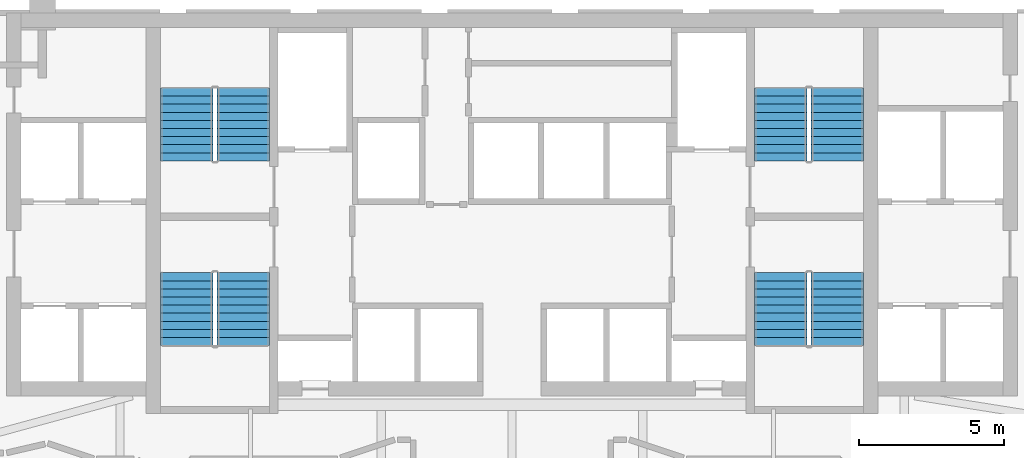
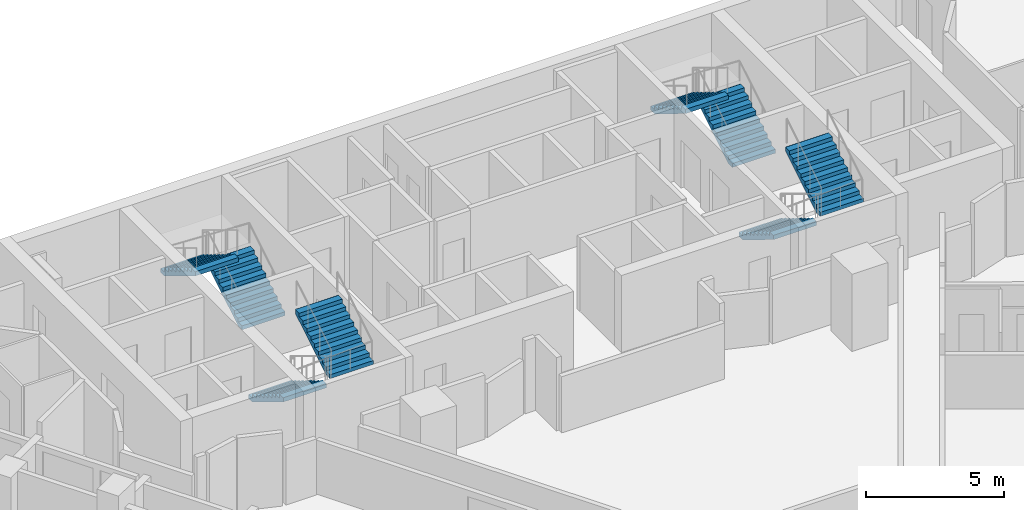
# One storey, part 9 of 10: 8 stair flights, 4 elements without a shape of their own.
"""IFC4 building model written with IfcOpenShell, lengths in metres."""

from ifc_helpers import new_model, si_unit, direction, frame, origin, place, context, subcontext, project, spatial, faceted_brep, source, transform, mapped, material, type_object, element, aggregate, save


model = new_model("IFC4")

# Units and contexts
model_context = context("Model", 3, precision=1e-05, world=origin(), true_north=direction((0.0, 1.0)))
body_context = subcontext(model_context, "Body", "Model", "MODEL_VIEW")
ifc_project = project(units=[si_unit("LENGTHUNIT", "METRE"), si_unit("AREAUNIT", "SQUARE_METRE"), si_unit("VOLUMEUNIT", "CUBIC_METRE"), si_unit("PLANEANGLEUNIT", "RADIAN"), si_unit("MASSUNIT", "GRAM", prefix="KILO")], contexts=[model_context])

# Site, building, storey
site_placement = place(None, origin())
site = spatial("IfcSite", under=ifc_project, at=site_placement, CompositionType="ELEMENT")
building_placement = place(site_placement, origin())
building = spatial("IfcBuilding", under=site, at=building_placement, Name="Calabash Gate Tower", CompositionType="ELEMENT")
storey_placement = place(building_placement, frame((0.0, 0.0, 102.0)))
storey = spatial("IfcBuildingStorey", under=building, at=storey_placement, Name="L22", CompositionType="ELEMENT", Elevation=102.0)

# Stair, stair flights
ifc_material_1 = material(Name="Concrete C40/50", Category="concrete")
stair_type = type_object("IfcStairType", Name="Exit stair 20 risers of 170 mm", PredefinedType="HALF_TURN_STAIR", material=ifc_material_1)
stair_1_placement = place(storey_placement, origin())
stair_1 = element("IfcStair", 1, at=stair_1_placement, inside=storey, type_object=stair_type, Name="L22 Exit stair ST1", PredefinedType="HALF_TURN_STAIR")
ifc_material_2 = material(Name="Concrete C40/50", Category="concrete")
stair_flight_type = type_object("IfcStairFlightType", Name="Exit stair flight SFL", PredefinedType="STRAIGHT", material=ifc_material_2)
shared_shape = source(origin(), body_context, "Body", "Brep", [
    faceted_brep([(-0.0009765625, -0.89990234375, 0.0), (0.2880859375, -0.89990234375, 0.0), (2.511962890625, -0.89990234375, 1.3544921875), (-0.0009765625, 0.89990234375, 0.0), (2.511962890625, 0.89990234375, 1.3544921875), (0.2880859375, 0.89990234375, 0.0), (2.511962890625, -0.89990234375, 1.5419921875), (2.510986328125, -0.89990234375, 1.5419921875), (2.510986328125, 0.89990234375, 1.5419921875), (2.511962890625, 0.89990234375, 1.5419921875), (2.510986328125, -0.89990234375, 1.530029296875), (2.510986328125, 0.89990234375, 1.530029296875), (2.23193359375, -0.89990234375, 1.530029296875), (2.23193359375, 0.89990234375, 1.530029296875), (2.23193359375, -0.89990234375, 1.360107421875), (2.23193359375, 0.89990234375, 1.360107421875), (1.952880859375, -0.89990234375, 1.360107421875), (1.952880859375, 0.89990234375, 1.360107421875), (1.952880859375, -0.89990234375, 1.18994140625), (1.952880859375, 0.89990234375, 1.18994140625), (1.674072265625, -0.89990234375, 1.18994140625), (1.674072265625, -0.89990234375, 1.02001953125), (1.674072265625, 0.89990234375, 1.02001953125), (1.674072265625, 0.89990234375, 1.18994140625), (1.39501953125, -0.89990234375, 1.02001953125), (1.39501953125, -0.89990234375, 0.85009765625), (1.39501953125, 0.89990234375, 0.85009765625), (1.39501953125, 0.89990234375, 1.02001953125), (1.115966796875, -0.89990234375, 0.85009765625), (1.115966796875, -0.89990234375, 0.679931640625), (1.115966796875, 0.89990234375, 0.679931640625), (1.115966796875, 0.89990234375, 0.85009765625), (0.8369140625, -0.89990234375, 0.679931640625), (0.8369140625, -0.89990234375, 0.510009765625), (0.8369140625, 0.89990234375, 0.510009765625), (0.8369140625, 0.89990234375, 0.679931640625), (0.55810546875, -0.89990234375, 0.510009765625), (0.55810546875, -0.89990234375, 0.340087890625), (0.55810546875, 0.89990234375, 0.340087890625), (0.55810546875, 0.89990234375, 0.510009765625), (0.279052734375, -0.89990234375, 0.340087890625), (0.279052734375, -0.89990234375, 0.169921875), (0.279052734375, 0.89990234375, 0.169921875), (0.279052734375, 0.89990234375, 0.340087890625), (-0.0009765625, -0.89990234375, 0.169921875), (-0.0009765625, 0.89990234375, 0.169921875), (0.2880859375, -0.360107421875, 0.0), (2.511962890625, -0.360107421875, 1.3544921875), (0.2880859375, -0.179931640625, 0.0), (2.511962890625, -0.179931640625, 1.3544921875), (0.2880859375, 0.0, 0.0), (2.511962890625, 0.0, 1.3544921875), (0.2880859375, 0.179931640625, 0.0), (2.511962890625, 0.179931640625, 1.3544921875), (0.2880859375, 0.360107421875, 0.0), (2.511962890625, 0.360107421875, 1.3544921875), (2.511962890625, -0.360107421875, 1.5419921875), (2.511962890625, -0.179931640625, 1.5419921875), (2.511962890625, 0.0, 1.5419921875), (2.511962890625, 0.179931640625, 1.5419921875), (2.511962890625, 0.360107421875, 1.5419921875), (2.510986328125, -0.360107421875, 1.5419921875), (2.510986328125, -0.179931640625, 1.5419921875), (2.510986328125, 0.0, 1.5419921875), (2.510986328125, 0.179931640625, 1.5419921875), (2.510986328125, 0.360107421875, 1.5419921875), (2.510986328125, -0.360107421875, 1.530029296875), (2.510986328125, -0.179931640625, 1.530029296875), (2.510986328125, 0.0, 1.530029296875), (2.510986328125, 0.179931640625, 1.530029296875), (2.510986328125, 0.360107421875, 1.530029296875), (2.23193359375, -0.360107421875, 1.530029296875), (2.23193359375, -0.179931640625, 1.530029296875), (2.23193359375, 0.0, 1.530029296875), (2.23193359375, 0.179931640625, 1.530029296875), (2.23193359375, 0.360107421875, 1.530029296875), (2.23193359375, -0.360107421875, 1.360107421875), (2.23193359375, -0.179931640625, 1.360107421875), (2.23193359375, 0.0, 1.360107421875), (2.23193359375, 0.179931640625, 1.360107421875), (2.23193359375, 0.360107421875, 1.360107421875), (1.952880859375, -0.360107421875, 1.360107421875), (1.952880859375, -0.179931640625, 1.360107421875), (1.952880859375, 0.0, 1.360107421875), (1.952880859375, 0.179931640625, 1.360107421875), (1.952880859375, 0.360107421875, 1.360107421875), (1.952880859375, -0.360107421875, 1.18994140625), (1.952880859375, -0.179931640625, 1.18994140625), (1.952880859375, 0.0, 1.18994140625), (1.952880859375, 0.179931640625, 1.18994140625), (1.952880859375, 0.360107421875, 1.18994140625), (1.674072265625, -0.360107421875, 1.18994140625), (1.674072265625, -0.179931640625, 1.18994140625), (1.674072265625, 0.0, 1.18994140625), (1.674072265625, 0.179931640625, 1.18994140625), (1.674072265625, 0.360107421875, 1.18994140625), (1.674072265625, -0.360107421875, 1.02001953125), (1.674072265625, -0.179931640625, 1.02001953125), (1.674072265625, 0.0, 1.02001953125), (1.674072265625, 0.179931640625, 1.02001953125), (1.674072265625, 0.360107421875, 1.02001953125), (1.39501953125, -0.360107421875, 1.02001953125), (1.39501953125, -0.179931640625, 1.02001953125), (1.39501953125, 0.0, 1.02001953125), (1.39501953125, 0.179931640625, 1.02001953125), (1.39501953125, 0.360107421875, 1.02001953125), (1.39501953125, -0.360107421875, 0.85009765625), (1.39501953125, -0.179931640625, 0.85009765625), (1.39501953125, 0.0, 0.85009765625), (1.39501953125, 0.179931640625, 0.85009765625), (1.39501953125, 0.360107421875, 0.85009765625), (1.115966796875, -0.360107421875, 0.85009765625), (1.115966796875, -0.179931640625, 0.85009765625), (1.115966796875, 0.0, 0.85009765625), (1.115966796875, 0.179931640625, 0.85009765625), (1.115966796875, 0.360107421875, 0.85009765625), (1.115966796875, -0.360107421875, 0.679931640625), (1.115966796875, -0.179931640625, 0.679931640625), (1.115966796875, 0.0, 0.679931640625), (1.115966796875, 0.179931640625, 0.679931640625), (1.115966796875, 0.360107421875, 0.679931640625), (0.8369140625, -0.360107421875, 0.679931640625), (0.8369140625, -0.179931640625, 0.679931640625), (0.8369140625, 0.0, 0.679931640625), (0.8369140625, 0.179931640625, 0.679931640625), (0.8369140625, 0.360107421875, 0.679931640625), (0.8369140625, -0.360107421875, 0.510009765625), (0.8369140625, -0.179931640625, 0.510009765625), (0.8369140625, 0.0, 0.510009765625), (0.8369140625, 0.179931640625, 0.510009765625), (0.8369140625, 0.360107421875, 0.510009765625), (0.55810546875, -0.360107421875, 0.510009765625), (0.55810546875, -0.179931640625, 0.510009765625), (0.55810546875, 0.0, 0.510009765625), (0.55810546875, 0.179931640625, 0.510009765625), (0.55810546875, 0.360107421875, 0.510009765625), (0.55810546875, -0.360107421875, 0.340087890625), (0.55810546875, -0.179931640625, 0.340087890625), (0.55810546875, 0.0, 0.340087890625), (0.55810546875, 0.179931640625, 0.340087890625), (0.55810546875, 0.360107421875, 0.340087890625), (0.279052734375, -0.360107421875, 0.340087890625), (0.279052734375, -0.179931640625, 0.340087890625), (0.279052734375, 0.0, 0.340087890625), (0.279052734375, 0.179931640625, 0.340087890625), (0.279052734375, 0.360107421875, 0.340087890625), (0.279052734375, -0.360107421875, 0.169921875), (0.279052734375, -0.179931640625, 0.169921875), (0.279052734375, 0.0, 0.169921875), (0.279052734375, 0.179931640625, 0.169921875), (0.279052734375, 0.360107421875, 0.169921875), (-0.0009765625, -0.360107421875, 0.169921875), (-0.0009765625, -0.179931640625, 0.169921875), (-0.0009765625, 0.0, 0.169921875), (-0.0009765625, 0.179931640625, 0.169921875), (-0.0009765625, 0.360107421875, 0.169921875), (-0.0009765625, -0.360107421875, 0.0), (-0.0009765625, -0.179931640625, 0.0), (-0.0009765625, 0.0, 0.0), (-0.0009765625, 0.179931640625, 0.0), (-0.0009765625, 0.360107421875, 0.0)], [[[0, 1, 2]], [[3, 4, 5]], [[2, 6, 7]], [[4, 8, 9]], [[2, 7, 10]], [[4, 11, 8]], [[2, 10, 12]], [[4, 13, 11]], [[2, 12, 14]], [[4, 15, 13]], [[2, 14, 16]], [[4, 17, 15]], [[2, 16, 18]], [[4, 19, 17]], [[18, 20, 21]], [[19, 22, 23]], [[2, 18, 21]], [[4, 22, 19]], [[21, 24, 25]], [[22, 26, 27]], [[2, 21, 25]], [[4, 26, 22]], [[25, 28, 29]], [[26, 30, 31]], [[2, 25, 29]], [[4, 30, 26]], [[29, 32, 33]], [[30, 34, 35]], [[2, 29, 33]], [[4, 34, 30]], [[33, 36, 37]], [[34, 38, 39]], [[2, 33, 37]], [[4, 38, 34]], [[37, 40, 41]], [[38, 42, 43]], [[2, 37, 41]], [[4, 42, 38]], [[0, 2, 41]], [[3, 42, 4]], [[41, 44, 0]], [[42, 3, 45]], [[1, 46, 2]], [[46, 47, 2]], [[46, 48, 47]], [[48, 49, 47]], [[48, 50, 49]], [[50, 51, 49]], [[50, 52, 53]], [[50, 53, 51]], [[52, 54, 55]], [[52, 55, 53]], [[54, 5, 4]], [[54, 4, 55]], [[2, 47, 6]], [[47, 56, 6]], [[47, 49, 56]], [[49, 57, 56]], [[49, 51, 57]], [[51, 58, 57]], [[51, 53, 59]], [[51, 59, 58]], [[53, 55, 60]], [[53, 60, 59]], [[55, 4, 9]], [[55, 9, 60]], [[6, 56, 7]], [[56, 61, 7]], [[56, 57, 61]], [[57, 62, 61]], [[57, 58, 62]], [[58, 63, 62]], [[58, 59, 64]], [[58, 64, 63]], [[59, 60, 65]], [[59, 65, 64]], [[60, 9, 8]], [[60, 8, 65]], [[7, 61, 10]], [[61, 66, 10]], [[61, 62, 66]], [[62, 67, 66]], [[62, 63, 67]], [[63, 68, 67]], [[63, 64, 69]], [[63, 69, 68]], [[64, 65, 70]], [[64, 70, 69]], [[65, 8, 11]], [[65, 11, 70]], [[10, 66, 12]], [[66, 71, 12]], [[66, 67, 71]], [[67, 72, 71]], [[67, 68, 72]], [[68, 73, 72]], [[68, 69, 74]], [[68, 74, 73]], [[69, 70, 75]], [[69, 75, 74]], [[70, 11, 13]], [[70, 13, 75]], [[12, 71, 14]], [[71, 76, 14]], [[71, 72, 76]], [[72, 77, 76]], [[72, 73, 77]], [[73, 78, 77]], [[73, 74, 79]], [[73, 79, 78]], [[74, 75, 80]], [[74, 80, 79]], [[75, 13, 15]], [[75, 15, 80]], [[14, 76, 16]], [[76, 81, 16]], [[76, 77, 81]], [[77, 82, 81]], [[77, 78, 82]], [[78, 83, 82]], [[78, 79, 84]], [[78, 84, 83]], [[79, 80, 85]], [[79, 85, 84]], [[80, 15, 17]], [[80, 17, 85]], [[16, 81, 18]], [[81, 86, 18]], [[81, 82, 86]], [[82, 87, 86]], [[82, 83, 87]], [[83, 88, 87]], [[83, 84, 89]], [[83, 89, 88]], [[84, 85, 90]], [[84, 90, 89]], [[85, 17, 19]], [[85, 19, 90]], [[18, 86, 20]], [[86, 91, 20]], [[86, 87, 91]], [[87, 92, 91]], [[87, 88, 92]], [[88, 93, 92]], [[88, 89, 94]], [[88, 94, 93]], [[89, 90, 95]], [[89, 95, 94]], [[90, 19, 23]], [[90, 23, 95]], [[20, 91, 21]], [[91, 96, 21]], [[91, 92, 96]], [[92, 97, 96]], [[92, 93, 97]], [[93, 98, 97]], [[93, 94, 99]], [[93, 99, 98]], [[94, 95, 100]], [[94, 100, 99]], [[95, 23, 22]], [[95, 22, 100]], [[21, 96, 24]], [[96, 101, 24]], [[96, 97, 101]], [[97, 102, 101]], [[97, 98, 102]], [[98, 103, 102]], [[98, 99, 104]], [[98, 104, 103]], [[99, 100, 105]], [[99, 105, 104]], [[100, 22, 27]], [[100, 27, 105]], [[24, 101, 25]], [[101, 106, 25]], [[101, 102, 106]], [[102, 107, 106]], [[102, 103, 107]], [[103, 108, 107]], [[103, 104, 109]], [[103, 109, 108]], [[104, 105, 110]], [[104, 110, 109]], [[105, 27, 26]], [[105, 26, 110]], [[25, 106, 28]], [[106, 111, 28]], [[106, 107, 111]], [[107, 112, 111]], [[107, 108, 112]], [[108, 113, 112]], [[108, 109, 114]], [[108, 114, 113]], [[109, 110, 115]], [[109, 115, 114]], [[110, 26, 31]], [[110, 31, 115]], [[28, 111, 29]], [[111, 116, 29]], [[111, 112, 116]], [[112, 117, 116]], [[112, 113, 117]], [[113, 118, 117]], [[113, 114, 119]], [[113, 119, 118]], [[114, 115, 120]], [[114, 120, 119]], [[115, 31, 30]], [[115, 30, 120]], [[29, 116, 32]], [[116, 121, 32]], [[116, 117, 121]], [[117, 122, 121]], [[117, 118, 122]], [[118, 123, 122]], [[118, 119, 124]], [[118, 124, 123]], [[119, 120, 125]], [[119, 125, 124]], [[120, 30, 35]], [[120, 35, 125]], [[32, 121, 33]], [[121, 126, 33]], [[121, 122, 126]], [[122, 127, 126]], [[122, 123, 127]], [[123, 128, 127]], [[123, 124, 129]], [[123, 129, 128]], [[124, 125, 130]], [[124, 130, 129]], [[125, 35, 34]], [[125, 34, 130]], [[33, 126, 36]], [[126, 131, 36]], [[126, 127, 131]], [[127, 132, 131]], [[127, 128, 132]], [[128, 133, 132]], [[128, 129, 134]], [[128, 134, 133]], [[129, 130, 135]], [[129, 135, 134]], [[130, 34, 39]], [[130, 39, 135]], [[36, 131, 37]], [[131, 136, 37]], [[131, 132, 136]], [[132, 137, 136]], [[132, 133, 137]], [[133, 138, 137]], [[133, 134, 139]], [[133, 139, 138]], [[134, 135, 140]], [[134, 140, 139]], [[135, 39, 38]], [[135, 38, 140]], [[37, 136, 40]], [[136, 141, 40]], [[136, 137, 141]], [[137, 142, 141]], [[137, 138, 142]], [[138, 143, 142]], [[138, 139, 144]], [[138, 144, 143]], [[139, 140, 145]], [[139, 145, 144]], [[140, 38, 43]], [[140, 43, 145]], [[40, 141, 41]], [[141, 146, 41]], [[141, 142, 146]], [[142, 147, 146]], [[142, 143, 147]], [[143, 148, 147]], [[143, 144, 149]], [[143, 149, 148]], [[144, 145, 150]], [[144, 150, 149]], [[145, 43, 42]], [[145, 42, 150]], [[41, 146, 44]], [[146, 151, 44]], [[146, 147, 151]], [[147, 152, 151]], [[147, 148, 152]], [[148, 153, 152]], [[148, 149, 154]], [[148, 154, 153]], [[149, 150, 155]], [[149, 155, 154]], [[150, 42, 45]], [[150, 45, 155]], [[44, 151, 0]], [[151, 156, 0]], [[151, 152, 156]], [[152, 157, 156]], [[152, 153, 157]], [[153, 158, 157]], [[153, 154, 159]], [[153, 159, 158]], [[154, 155, 160]], [[154, 160, 159]], [[155, 45, 3]], [[155, 3, 160]], [[0, 156, 1]], [[156, 46, 1]], [[156, 157, 46]], [[157, 48, 46]], [[157, 158, 48]], [[158, 50, 48]], [[158, 159, 52]], [[158, 52, 50]], [[159, 160, 54]], [[159, 54, 52]], [[160, 3, 5]], [[160, 5, 54]]]),
])
stair_flight_1_placement = place(storey_placement, frame((-9.25, 13.95263671875, 0.0), z_axis=(0.0, 0.0, 1.0), x_axis=(0.0, 1.0, 0.0)))
stair_flight_1 = element("IfcStairFlight", 2, at=stair_flight_1_placement, type_object=stair_flight_type, Name="ST1 flight 1", NumberOfRisers=10, NumberOfTreads=9, PredefinedType="STRAIGHT", RiserHeight=0.17, TreadLength=0.279, context=body_context, shape_type="MappedRepresentation", body=[
    mapped(shared_shape, transform((0.0, 0.0, 0.0), scale=1.0)),
])
stair_flight_2_placement = place(storey_placement, frame((-11.199951171875, 16.463623046875, 1.699951171875), z_axis=(0.0, 0.0, 1.0), x_axis=(0.0, -1.0, 0.0)))
stair_flight_2 = element("IfcStairFlight", 3, at=stair_flight_2_placement, type_object=stair_flight_type, Name="ST1 flight 2", NumberOfRisers=10, NumberOfTreads=9, PredefinedType="STRAIGHT", RiserHeight=0.17, TreadLength=0.279, context=body_context, shape_type="MappedRepresentation", body=[
    mapped(shared_shape, transform((0.0, 0.0, 0.0), scale=1.0)),
])
aggregate(stair_1, [stair_flight_1, stair_flight_2])

stair_2_placement = place(storey_placement, origin())
stair_2 = element("IfcStair", 4, at=stair_2_placement, inside=storey, type_object=stair_type, Name="L22 Exit stair ST2", PredefinedType="HALF_TURN_STAIR")
stair_flight_3_placement = place(storey_placement, frame((-11.199951171875, 10.1025390625, 0.0), z_axis=(0.0, 0.0, 1.0), x_axis=(0.0, -1.0, 0.0)))
stair_flight_3 = element("IfcStairFlight", 5, at=stair_flight_3_placement, type_object=stair_flight_type, Name="ST2 flight 1", NumberOfRisers=10, NumberOfTreads=9, PredefinedType="STRAIGHT", RiserHeight=0.17, TreadLength=0.279, context=body_context, shape_type="MappedRepresentation", body=[
    mapped(shared_shape, transform((0.0, 0.0, 0.0), scale=1.0)),
])
stair_flight_4_placement = place(storey_placement, frame((-9.25, 7.591552734375, 1.699951171875), z_axis=(0.0, 0.0, 1.0), x_axis=(0.0, 1.0, 0.0)))
stair_flight_4 = element("IfcStairFlight", 6, at=stair_flight_4_placement, type_object=stair_flight_type, Name="ST2 flight 2", NumberOfRisers=10, NumberOfTreads=9, PredefinedType="STRAIGHT", RiserHeight=0.17, TreadLength=0.279, context=body_context, shape_type="MappedRepresentation", body=[
    mapped(shared_shape, transform((0.0, 0.0, 0.0), scale=1.0)),
])
aggregate(stair_2, [stair_flight_3, stair_flight_4])

stair_3_placement = place(storey_placement, origin())
stair_3 = element("IfcStair", 7, at=stair_3_placement, inside=storey, type_object=stair_type, Name="L22 Exit stair ST3", PredefinedType="HALF_TURN_STAIR")
stair_flight_5_placement = place(storey_placement, frame((11.199951171875, 13.95263671875, 0.0), z_axis=(0.0, 0.0, 1.0), x_axis=(0.0, 1.0, 0.0)))
stair_flight_5 = element("IfcStairFlight", 8, at=stair_flight_5_placement, type_object=stair_flight_type, Name="ST3 flight 1", NumberOfRisers=10, NumberOfTreads=9, PredefinedType="STRAIGHT", RiserHeight=0.17, TreadLength=0.279, context=body_context, shape_type="MappedRepresentation", body=[
    mapped(shared_shape, transform((0.0, 0.0, 0.0), scale=1.0)),
])
stair_flight_6_placement = place(storey_placement, frame((9.25, 16.463623046875, 1.699951171875), z_axis=(0.0, 0.0, 1.0), x_axis=(0.0, -1.0, 0.0)))
stair_flight_6 = element("IfcStairFlight", 9, at=stair_flight_6_placement, type_object=stair_flight_type, Name="ST3 flight 2", NumberOfRisers=10, NumberOfTreads=9, PredefinedType="STRAIGHT", RiserHeight=0.17, TreadLength=0.279, context=body_context, shape_type="MappedRepresentation", body=[
    mapped(shared_shape, transform((0.0, 0.0, 0.0), scale=1.0)),
])
aggregate(stair_3, [stair_flight_5, stair_flight_6])

stair_4_placement = place(storey_placement, origin())
stair_4 = element("IfcStair", 10, at=stair_4_placement, inside=storey, type_object=stair_type, Name="L22 Exit stair ST4", PredefinedType="HALF_TURN_STAIR")
stair_flight_7_placement = place(storey_placement, frame((9.25, 10.1025390625, 0.0), z_axis=(0.0, 0.0, 1.0), x_axis=(0.0, -1.0, 0.0)))
stair_flight_7 = element("IfcStairFlight", 11, at=stair_flight_7_placement, type_object=stair_flight_type, Name="ST4 flight 1", NumberOfRisers=10, NumberOfTreads=9, PredefinedType="STRAIGHT", RiserHeight=0.17, TreadLength=0.279, context=body_context, shape_type="MappedRepresentation", body=[
    mapped(shared_shape, transform((0.0, 0.0, 0.0), scale=1.0)),
])
stair_flight_8_placement = place(storey_placement, frame((11.199951171875, 7.591552734375, 1.699951171875), z_axis=(0.0, 0.0, 1.0), x_axis=(0.0, 1.0, 0.0)))
stair_flight_8 = element("IfcStairFlight", 12, at=stair_flight_8_placement, type_object=stair_flight_type, Name="ST4 flight 2", NumberOfRisers=10, NumberOfTreads=9, PredefinedType="STRAIGHT", RiserHeight=0.17, TreadLength=0.279, context=body_context, shape_type="MappedRepresentation", body=[
    mapped(shared_shape, transform((0.0, 0.0, 0.0), scale=1.0)),
])
aggregate(stair_4, [stair_flight_7, stair_flight_8])

save(model, "model.ifc")
